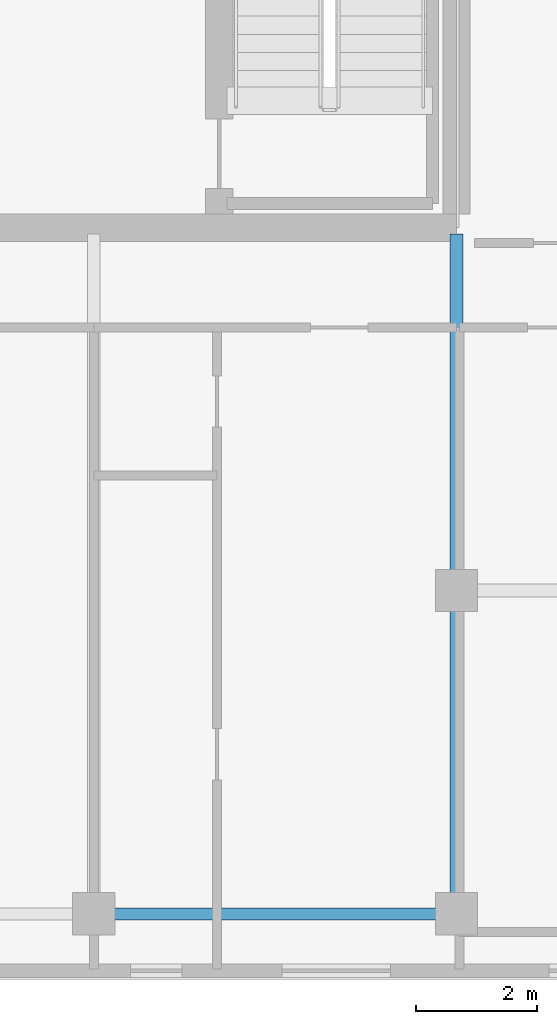
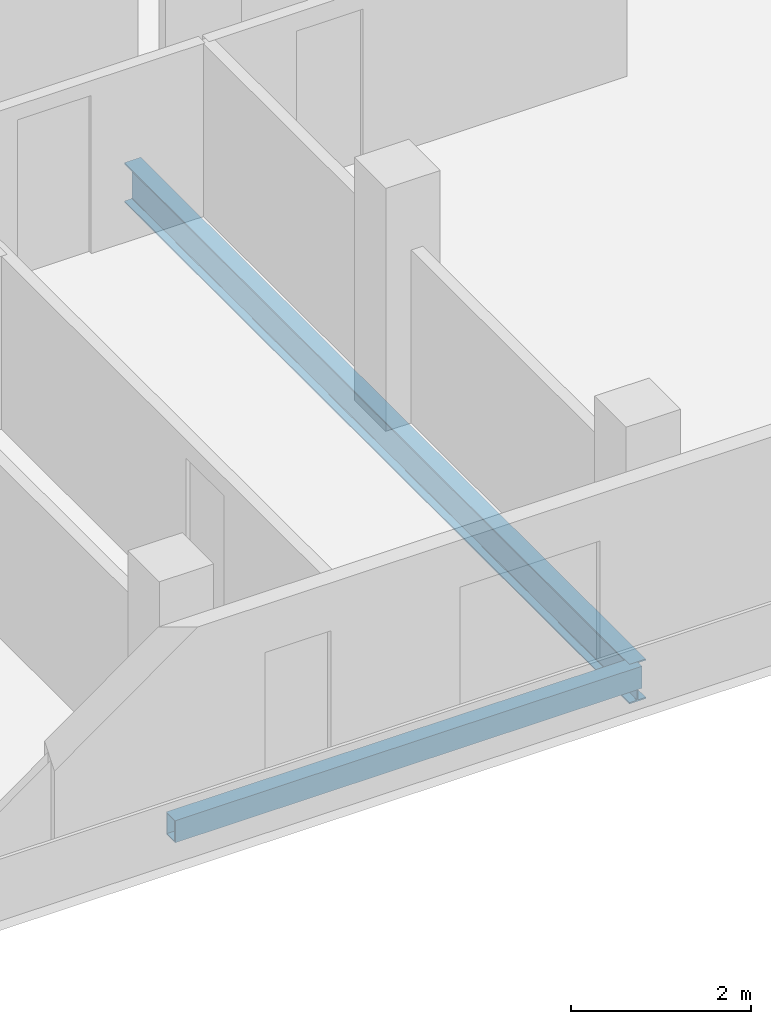
# One storey, part 15 of 29: 2 beams.
"""IFC4 building model written with IfcOpenShell, lengths in metres."""

from ifc_helpers import new_model, si_unit, direction, frame, origin, origin_2d, place, context, subcontext, project, spatial, hollow_rectangle, i_section, extrude, material, material_profile, profile_set, type_object, element, save


model = new_model("IFC4")

# Units and contexts
model_context = context("Model", 3, precision=1e-05, world=origin(), true_north=direction((0.0, 1.0)))
body_context = subcontext(model_context, "Body", "Model", "MODEL_VIEW")
ifc_project = project(units=[si_unit("LENGTHUNIT", "METRE"), si_unit("AREAUNIT", "SQUARE_METRE"), si_unit("VOLUMEUNIT", "CUBIC_METRE"), si_unit("PLANEANGLEUNIT", "RADIAN"), si_unit("MASSUNIT", "GRAM", prefix="KILO")], contexts=[model_context])

# Site, building, storey
site_placement = place(None, origin())
site = spatial("IfcSite", under=ifc_project, at=site_placement, CompositionType="ELEMENT")
building_placement = place(site_placement, origin())
building = spatial("IfcBuilding", under=site, at=building_placement, Name="Tanjung Sevakor Pilgrim Tower", CompositionType="ELEMENT")
storey_placement = place(building_placement, frame((0.0, 0.0, 232.64990234375)))
storey = spatial("IfcBuildingStorey", under=building, at=storey_placement, Name="L65", CompositionType="ELEMENT", Elevation=232.64990234375)

# Beams
ifc_material_1 = material(Name="Steel S355J2", Category="steel")
ifc_material_profile_1 = material_profile(ifc_material_1, i_section(OverallWidth=0.210693359375, OverallDepth=0.53955078125, WebThickness=0.01171875, FlangeThickness=0.018798828125, FilletRadius=0.0126953125, at=origin_2d()))
ifc_profile_set_1 = profile_set([ifc_material_profile_1], Name="Steel S355J2")
beam_type_1 = type_object("IfcBeamType", Name="BM-B-G6-UB_533x210x109", PredefinedType="BEAM", material=ifc_profile_set_1)
beam_1_placement = place(storey_placement, frame((90.0, 13.25, -0.489501953125), z_axis=(0.0, 1.0, 0.0), x_axis=(-1.0, 0.0, 0.0)))
element("IfcBeam", 1, at=beam_1_placement, inside=storey, type_object=beam_type_1, Name="L65 EAST Girder 009", PredefinedType="BEAM", context=body_context, shape_type="SweptSolid", body=[
    extrude(i_section(OverallWidth=0.210693359375, OverallDepth=0.53955078125, WebThickness=0.01171875, FlangeThickness=0.018798828125, FilletRadius=0.0126953125, at=origin_2d()), origin(), (0.0, 0.0, 1.0), 11.243896484375),
])
ifc_material_2 = material(Name="Steel S355J2", Category="steel")
ifc_material_profile_2 = material_profile(ifc_material_2, hollow_rectangle(XDim=0.199951171875, YDim=0.300048828125, WallThickness=0.012451171875, at=origin_2d()))
ifc_profile_set_2 = profile_set([ifc_material_profile_2], Name="Steel S355J2")
beam_type_2 = type_object("IfcBeamType", Name="BM-B-SP3-RHS_300x200x12.5", PredefinedType="SPANDREL", material=ifc_profile_set_2)
beam_2_placement = place(storey_placement, frame((84.0, 13.25, -0.369873046875), z_axis=(1.0, 0.0, 0.0), x_axis=(0.0, 1.0, 0.0)))
element("IfcBeam", 2, at=beam_2_placement, inside=storey, type_object=beam_type_2, Name="L65 Spandrel EAST S-05", PredefinedType="SPANDREL", context=body_context, shape_type="SweptSolid", body=[
    extrude(hollow_rectangle(XDim=0.199951171875, YDim=0.300048828125, WallThickness=0.012451171875, at=origin_2d()), origin(), (0.0, 0.0, 1.0), 6.0),
])

save(model, "model.ifc")
